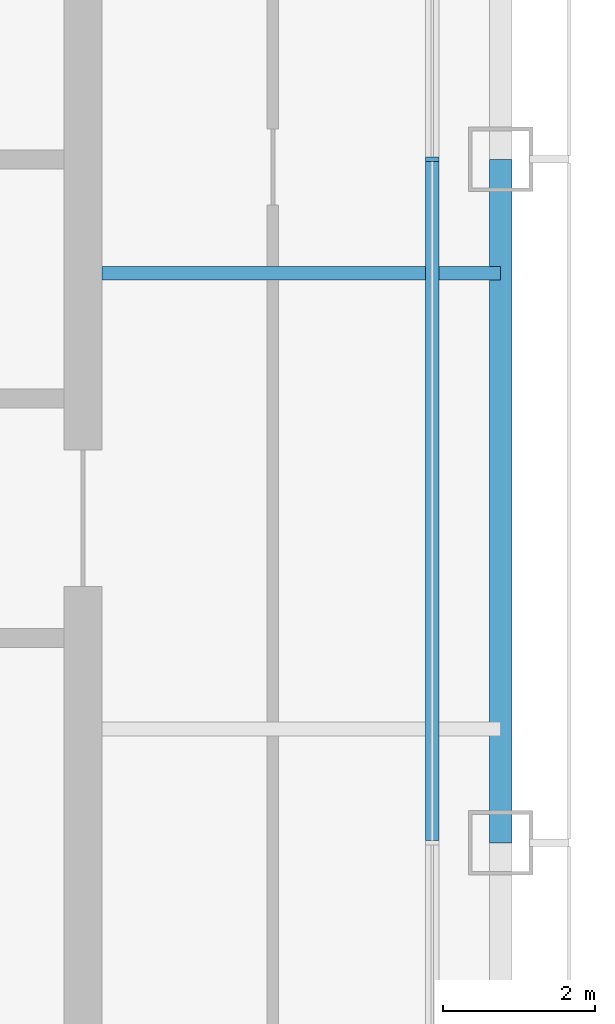
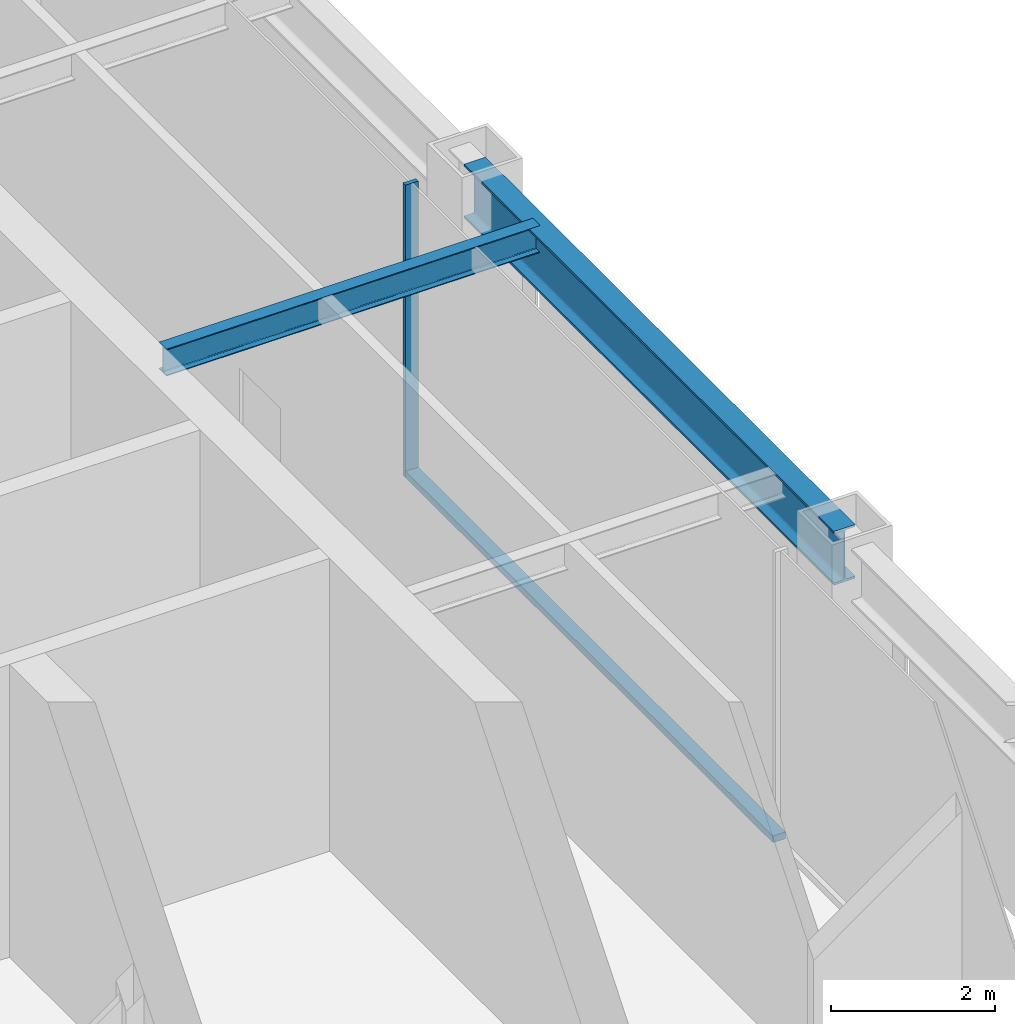
# One storey, part 5 of 22: 2 beams, 2 members, 1 element without a shape of its own.
"""IFC4 building model written with IfcOpenShell, lengths in metres."""

from ifc_helpers import new_model, si_unit, direction, frame, origin, origin_2d, place, context, subcontext, project, spatial, rectangle, i_section, extrude, material, layer, layer_set, material_profile, profile_set, type_object, element, aggregate, save


model = new_model("IFC4")

# Units and contexts
model_context = context("Model", 3, precision=1e-05, world=origin(), true_north=direction((0.0, 1.0)))
body_context = subcontext(model_context, "Body", "Model", "MODEL_VIEW")
ifc_project = project(units=[si_unit("LENGTHUNIT", "METRE"), si_unit("AREAUNIT", "SQUARE_METRE"), si_unit("VOLUMEUNIT", "CUBIC_METRE"), si_unit("PLANEANGLEUNIT", "RADIAN"), si_unit("MASSUNIT", "GRAM", prefix="KILO")], contexts=[model_context])

# Site, building, storey
site_placement = place(None, origin())
site = spatial("IfcSite", under=ifc_project, at=site_placement, CompositionType="ELEMENT")
building_placement = place(site_placement, origin())
building = spatial("IfcBuilding", under=site, at=building_placement, Name="Siwar Civic Tower", CompositionType="ELEMENT")
storey_placement = place(building_placement, frame((0.0, 0.0, 219.699951171875)))
storey = spatial("IfcBuildingStorey", under=building, at=storey_placement, Name="L47", CompositionType="ELEMENT", Elevation=219.699951171875)

# Curtain wall, members
ifc_material_1 = material(Name="Aluminium and glass", Category="aluminium")
ifc_layer = layer(ifc_material_1, 0.179931640625)
ifc_layer_set = layer_set([ifc_layer], Name="Aluminium and glass")
curtain_wall_type = type_object("IfcCurtainWallType", Name="ENV-CW-C", PredefinedType="NOTDEFINED", material=ifc_layer_set)
curtain_wall_placement = place(storey_placement, origin())
curtain_wall = element("IfcCurtainWall", 1, at=curtain_wall_placement, inside=storey, type_object=curtain_wall_type, Name="Curtain wall C E", PredefinedType="NOTDEFINED")
ifc_material_2 = material(Name="Aluminium 6063-T6", Category="aluminium")
ifc_material_profile_1 = material_profile(ifc_material_2, rectangle(XDim=0.179931640625, YDim=0.06005859375, at=origin_2d()), Name="AL 180x60")
ifc_profile_set_1 = profile_set([ifc_material_profile_1], Name="Aluminium 6063-T6")
member_type_1 = type_object("IfcMemberType", Name="ENV-MULLION-C", PredefinedType="MULLION", material=ifc_profile_set_1)
member_1_placement = place(storey_placement, frame((26.10009765625, 0.0, 0.0), z_axis=(0.0, 0.0, 1.0), x_axis=(-1.0, 0.0, 0.0)))
member_1 = element("IfcMember", 2, at=member_1_placement, type_object=member_type_1, Name="Mullion C E 3", PredefinedType="MULLION", context=body_context, shape_type="SweptSolid", body=[
    extrude(rectangle(XDim=0.179931640625, YDim=0.06005859375, at=origin_2d()), origin(), (0.0, 0.0, 1.0), 4.35009765625),
])
ifc_material_3 = material(Name="Aluminium 6063-T6", Category="aluminium")
ifc_material_profile_2 = material_profile(ifc_material_3, rectangle(XDim=0.179931640625, YDim=0.10009765625, at=origin_2d()), Name="AL 180x100")
ifc_profile_set_2 = profile_set([ifc_material_profile_2], Name="Aluminium 6063-T6")
member_type_2 = type_object("IfcMemberType", Name="ENV-TRANSOM-C", PredefinedType="USERDEFINED", material=ifc_profile_set_2)
member_2_placement = place(storey_placement, frame((26.10009765625, -8.969970703125, 0.050048828125), z_axis=(0.0, 1.0, 0.0), x_axis=(-1.0, 0.0, 0.0)))
member_2 = element("IfcMember", 3, at=member_2_placement, type_object=member_type_2, Name="Transom C E 2", ObjectType="TRANSOM", PredefinedType="USERDEFINED", context=body_context, shape_type="SweptSolid", body=[
    extrude(rectangle(XDim=0.179931640625, YDim=0.10009765625, at=origin_2d()), origin(), (0.0, 0.0, 1.0), 8.93994140625),
])
aggregate(curtain_wall, [member_1, member_2])

# Beams
ifc_material_4 = material(Name="Steel S355", Category="steel")
ifc_material_profile_3 = material_profile(ifc_material_4, i_section(OverallWidth=0.179931640625, OverallDepth=0.39990234375, WebThickness=0.008544921875, FlangeThickness=0.013427734375, FilletRadius=0.02099609375, at=origin_2d()), Name="IPE400")
ifc_profile_set_3 = profile_set([ifc_material_profile_3], Name="Steel S355")
beam_type_1 = type_object("IfcBeamType", Name="STR-FB-IPE400", PredefinedType="JOIST", material=ifc_profile_set_3)
beam_1_placement = place(storey_placement, frame((21.75, -1.5, 4.150146484375), z_axis=(1.0, 0.0, 0.0), x_axis=(0.0, 1.0, 0.0)))
element("IfcBeam", 4, at=beam_1_placement, inside=storey, type_object=beam_type_1, Name="L47/bm/F024", PredefinedType="JOIST", context=body_context, shape_type="SweptSolid", body=[
    extrude(i_section(OverallWidth=0.179931640625, OverallDepth=0.39990234375, WebThickness=0.008544921875, FlangeThickness=0.013427734375, FilletRadius=0.02099609375, at=origin_2d()), origin(), (0.0, 0.0, 1.0), 5.25),
])
ifc_material_5 = material(Name="Steel S355", Category="steel")
ifc_material_profile_4 = material_profile(ifc_material_5, i_section(OverallWidth=0.300048828125, OverallDepth=0.800048828125, WebThickness=0.017578125, FlangeThickness=0.032958984375, FilletRadius=0.030029296875, at=origin_2d()), Name="HEB800")
ifc_profile_set_4 = profile_set([ifc_material_profile_4], Name="Steel S355")
beam_type_2 = type_object("IfcBeamType", Name="STR-SB-HEB800", PredefinedType="BEAM", material=ifc_profile_set_4)
beam_2_placement = place(storey_placement, frame((27.0, -9.0, 3.949951171875), z_axis=(0.0, 1.0, 0.0), x_axis=(-1.0, 0.0, 0.0)))
element("IfcBeam", 5, at=beam_2_placement, inside=storey, type_object=beam_type_2, Name="L47/bm/SE-1", PredefinedType="BEAM", context=body_context, shape_type="SweptSolid", body=[
    extrude(i_section(OverallWidth=0.300048828125, OverallDepth=0.800048828125, WebThickness=0.017578125, FlangeThickness=0.032958984375, FilletRadius=0.030029296875, at=origin_2d()), origin(), (0.0, 0.0, 1.0), 9.0),
])

save(model, "model.ifc")
